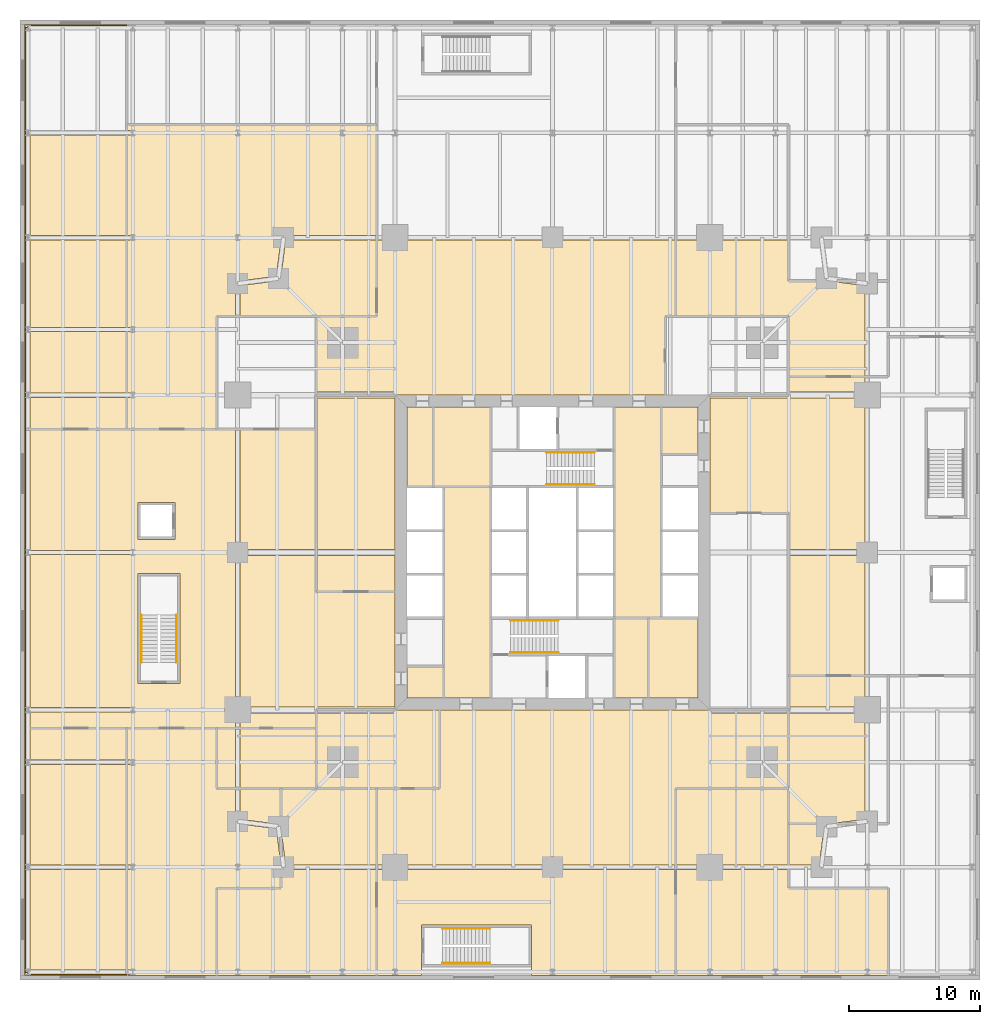
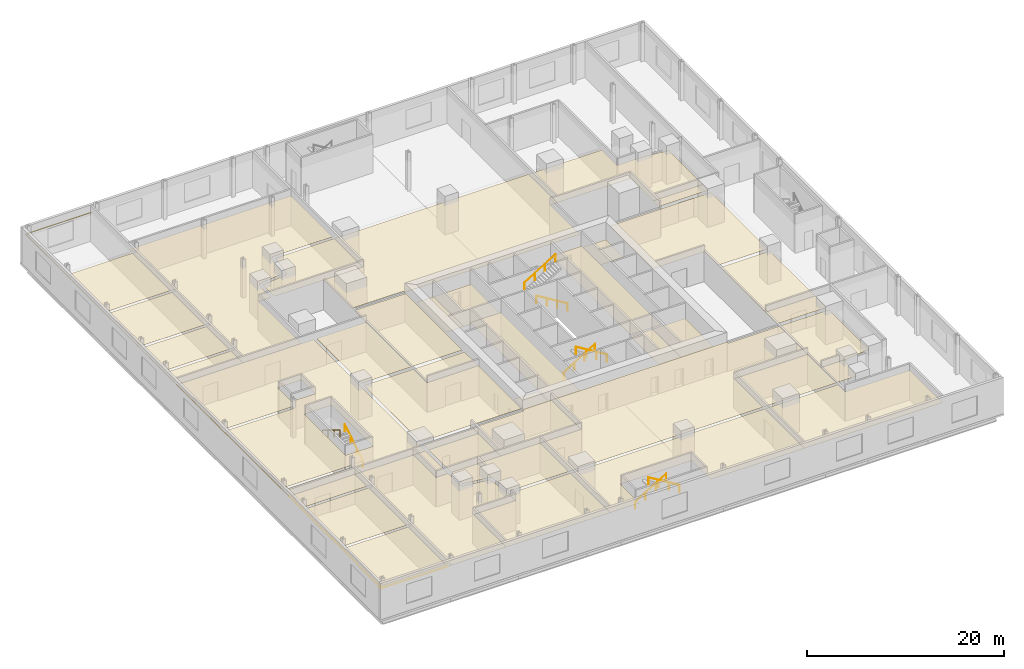
# One storey, part 15 of 16: 45 coverings, 8 railings.
"""IFC4 building model written with IfcOpenShell, lengths in metres."""

import ifcopenshell
import ifcopenshell.guid

model = None  # the IFC model being written
_history = None  # IfcOwnerHistory: only IFC2X3 demands one
_inside = {}  # id of a spatial element -> (the spatial element, [elements in it])
_under = {}  # id of a project, library or spatial element -> (it, [spatial elements below it])
_declared = {}  # id of a project -> (the project, [libraries it declares])
_typed = {}  # id of a type object -> (the type object, [elements of that type])
_made_of = {}  # id of a material, layer set ... -> (it, [elements and type objects made of it])


def new_model(schema):
    """Start an empty IFC model of exactly this schema.

    Asked for "IFC4X3", IfcOpenShell would pick the latest addendum, in which some entities
    have other attributes; the version numbers below select the first issue.
    IFC2X3 requires an IfcOwnerHistory on every rooted entity: one is made here for all.
    """
    global model, _history
    if schema == "IFC4X3":
        model = ifcopenshell.file(schema_version=(4, 3, 0, 0))
    else:
        model = ifcopenshell.file(schema=schema)
    _inside.clear()
    _under.clear()
    _declared.clear()
    _typed.clear()
    _made_of.clear()
    _history = None
    if model.schema == "IFC2X3":
        org = make("IfcOrganization", Name="unknown")
        user = make(
            "IfcPersonAndOrganization",
            ThePerson=make("IfcPerson", FamilyName="unknown"),
            TheOrganization=org,
        )
        app = make(
            "IfcApplication",
            ApplicationDeveloper=org,
            Version="unknown",
            ApplicationFullName="unknown",
            ApplicationIdentifier="unknown",
        )
        _history = make(
            "IfcOwnerHistory",
            OwningUser=user,
            OwningApplication=app,
            ChangeAction="ADDED",
            CreationDate=0,
        )
    return model


def make(cls, **values):
    """One entity of the class cls with the attributes given. An attribute that is None is left unset."""
    return model.create_entity(
        cls, **{name: value for name, value in values.items() if value is not None}
    )


def rooted(cls, **values):
    """An entity with a GlobalId (a new one), such as an element, a storey or a relation."""
    return make(cls, GlobalId=ifcopenshell.guid.new(), OwnerHistory=_history, **values)


def si_unit(unit_type, name, prefix=None):
    """IfcSIUnit, for example si_unit("LENGTHUNIT", "METRE", prefix="MILLI")."""
    return make("IfcSIUnit", UnitType=unit_type, Prefix=prefix, Name=name)


def assignment(units):
    """IfcUnitAssignment: the units of a project."""
    return None if units is None else make("IfcUnitAssignment", Units=units)


def point(xyz):
    """IfcCartesianPoint."""
    return None if xyz is None else make("IfcCartesianPoint", Coordinates=xyz)


def direction(xyz):
    """IfcDirection."""
    return None if xyz is None else make("IfcDirection", DirectionRatios=xyz)


def frame(location, z_axis=None, x_axis=None):
    """IfcAxis2Placement3D, a coordinate frame: its origin and axes. An axis left out is left unset."""
    return make(
        "IfcAxis2Placement3D",
        Location=point(location),
        Axis=direction(z_axis),
        RefDirection=direction(x_axis),
    )


def frame_2d(location, x_axis=None):
    """IfcAxis2Placement2D, a coordinate frame in the plane: its origin and x axis."""
    return make(
        "IfcAxis2Placement2D", Location=point(location), RefDirection=direction(x_axis)
    )


def origin():
    """The frame at (0, 0, 0) with its axes left unset."""
    return frame((0.0, 0.0, 0.0))


def origin_2d():
    """The frame at (0, 0) in the plane with its x axis left unset."""
    return frame_2d((0.0, 0.0))


def place(relative_to, where):
    """IfcLocalPlacement: puts the frame where relative to a parent placement (None: the world)."""
    return make(
        "IfcLocalPlacement", PlacementRelTo=relative_to, RelativePlacement=where
    )


def context(
    kind, dimensions, precision=None, world=None, true_north=None, identifier=None
):
    """IfcGeometricRepresentationContext, for example the 3D "Model" context."""
    return make(
        "IfcGeometricRepresentationContext",
        ContextIdentifier=identifier,
        ContextType=kind,
        CoordinateSpaceDimension=dimensions,
        Precision=precision,
        WorldCoordinateSystem=world,
        TrueNorth=true_north,
    )


def subcontext(parent, identifier, kind, view, scale=None):
    """IfcGeometricRepresentationSubContext, for example "Body" below "Model"."""
    return make(
        "IfcGeometricRepresentationSubContext",
        ContextIdentifier=identifier,
        ContextType=kind,
        ParentContext=parent,
        TargetScale=scale,
        TargetView=view,
    )


def project(units=None, contexts=None):
    """IfcProject with its units and contexts."""
    return rooted(
        "IfcProject",
        Name="project",
        RepresentationContexts=contexts,
        UnitsInContext=assignment(units),
    )


def spatial(cls, under=None, at=None, **own):
    """A site, building, storey or space (cls), placed at a placement, below another one or the project."""
    s = rooted(cls, ObjectPlacement=at, **own)
    if under is not None:
        _under.setdefault(under.id(), (under, []))[1].append(s)
    return s


def polyline(points):
    """IfcPolyline through the points."""
    return make("IfcPolyline", Points=[point(p) for p in points])


def profile(cls, at=None, kind="AREA", **sizes):
    """A parametric profile (cls). Its sizes go by their IFC names, for example OverallWidth=200.0."""
    return make(cls, ProfileType=kind, Position=at, **sizes)


def circle(**sizes):
    """IfcCircleProfileDef."""
    return profile("IfcCircleProfileDef", **sizes)


def outline(outer, holes=None, kind="AREA"):
    """IfcArbitraryClosedProfileDef: a profile drawn as a closed curve; with holes, ...WithVoids."""
    if holes is None:
        return make("IfcArbitraryClosedProfileDef", ProfileType=kind, OuterCurve=outer)
    return make(
        "IfcArbitraryProfileDefWithVoids",
        ProfileType=kind,
        OuterCurve=outer,
        InnerCurves=holes,
    )


def extrude(swept, where, along, depth):
    """IfcExtrudedAreaSolid: the profile swept, set in the frame where, extruded along a direction by depth."""
    return make(
        "IfcExtrudedAreaSolid",
        SweptArea=swept,
        Position=where,
        ExtrudedDirection=direction(along),
        Depth=depth,
    )


def shape(context_of_items, identifier, shape_type, items):
    """IfcShapeRepresentation: the items that make up one representation, for example the "Body"."""
    return make(
        "IfcShapeRepresentation",
        ContextOfItems=context_of_items,
        RepresentationIdentifier=identifier,
        RepresentationType=shape_type,
        Items=items,
    )


def material(Name=None, Category=None):
    """IfcMaterial."""
    return make("IfcMaterial", Name=Name, Category=Category)


def layer(
    of_material, thickness, ventilated=None, Name=None, Category=None, Priority=None
):
    """IfcMaterialLayer: one layer of a wall or slab, of a material (None: an air gap)."""
    return make(
        "IfcMaterialLayer",
        Material=of_material,
        LayerThickness=thickness,
        IsVentilated=ventilated,
        Name=Name,
        Category=Category,
        Priority=Priority,
    )


def layer_set(layers, Name=None):
    """IfcMaterialLayerSet."""
    return make("IfcMaterialLayerSet", MaterialLayers=layers, LayerSetName=Name)


def made_of(thing, what):
    """Note that an element or type object is made of a material, layer set ...; save() writes the relation."""
    if what is not None:
        _made_of.setdefault(what.id(), (what, []))[1].append(thing)
    return thing


def type_object(cls, material=None, **own):
    """A type object (cls), such as IfcWallType, which elements share."""
    return made_of(rooted(cls, **own), material)


def element(
    cls,
    number,
    at=None,
    inside=None,
    cuts=None,
    type_object=None,
    material=None,
    context=None,
    identifier="Body",
    shape_type=None,
    held_by="IfcProductDefinitionShape",
    body=None,
    shapes=None,
    **own,
):
    """One element of the class cls, such as IfcWall. Its Tag is "e" and its number.

    at: its placement. inside: the storey or other place that contains it. cuts: it is an
    opening in that element (IfcRelVoidsElement). A single representation is given by context,
    identifier, shape_type and body (its items); several are given by shapes. held_by: the class
    of the entity that holds the representations. save() writes the other relations.
    """
    e = rooted(cls, Tag="e%d" % number, ObjectPlacement=at, **own)
    if body is not None:
        shapes = [shape(context, identifier, shape_type, body)]
    if shapes is not None:
        e.Representation = make(held_by, Representations=shapes)
    if inside is not None:
        _inside.setdefault(inside.id(), (inside, []))[1].append(e)
    if cuts is not None:
        rooted(
            "IfcRelVoidsElement", RelatingBuildingElement=cuts, RelatedOpeningElement=e
        )
    if type_object is not None:
        _typed.setdefault(type_object.id(), (type_object, []))[1].append(e)
    return made_of(e, material)


def aggregate(whole, parts):
    """IfcRelAggregates: a whole, such as a stair, and the parts it consists of."""
    return rooted("IfcRelAggregates", RelatingObject=whole, RelatedObjects=parts)


def save(model, path):
    """Write the relations noted so far, then the file.

    IfcRelAggregates (storeys below a building ...), IfcRelContainedInSpatialStructure (elements
    in a storey), IfcRelDefinesByType, IfcRelAssociatesMaterial and IfcRelDeclares: one each for
    every whole, place, type object, material and project.
    """
    for whole, parts in _under.values():
        aggregate(whole, parts)
    for where, things in _inside.values():
        rooted(
            "IfcRelContainedInSpatialStructure",
            RelatedElements=things,
            RelatingStructure=where,
        )
    for kind, things in _typed.values():
        rooted("IfcRelDefinesByType", RelatedObjects=things, RelatingType=kind)
    for what, things in _made_of.values():
        rooted("IfcRelAssociatesMaterial", RelatedObjects=things, RelatingMaterial=what)
    for by, libraries in _declared.values():
        rooted("IfcRelDeclares", RelatingContext=by, RelatedDefinitions=libraries)
    model.write(path)


model = new_model("IFC4")

# Units and contexts
model_context = context("Model", 3, precision=1e-05, world=origin(), true_north=direction((0.0, 1.0)))
body_context = subcontext(model_context, "Body", "Model", "MODEL_VIEW")
ifc_project = project(units=[si_unit("LENGTHUNIT", "METRE"), si_unit("AREAUNIT", "SQUARE_METRE"), si_unit("VOLUMEUNIT", "CUBIC_METRE"), si_unit("PLANEANGLEUNIT", "RADIAN"), si_unit("MASSUNIT", "GRAM", prefix="KILO")], contexts=[model_context])

# Site, building, storey
site_placement = place(None, origin())
site = spatial("IfcSite", under=ifc_project, at=site_placement, CompositionType="ELEMENT")
building_placement = place(site_placement, origin())
building = spatial("IfcBuilding", under=site, at=building_placement, Name="Fenwick Lantern Interchange", CompositionType="ELEMENT")
storey_placement = place(building_placement, frame((0.0, 0.0, 16.60009765625)))
storey = spatial("IfcBuildingStorey", under=building, at=storey_placement, Name="L03", CompositionType="ELEMENT", Elevation=16.60009765625)

# Coverings
ifc_material_1 = material(Name="Mineral fibre acoustic tile on suspended grid")
ifc_layer_1 = layer(ifc_material_1, 0.02001953125)
ifc_layer_set_1 = layer_set([ifc_layer_1], Name="ACOUSTIC TILE CEILING 20")
covering_type_1 = type_object("IfcCoveringType", Name="ACOUSTIC TILE CEILING 20", PredefinedType="CEILING", material=ifc_layer_set_1)
covering_1_placement = place(storey_placement, frame((0.0, 0.0, 3.599853515625)))
element("IfcCovering", 1, at=covering_1_placement, inside=storey, type_object=covering_type_1, Name="Retail arcade north ceiling", PredefinedType="CEILING", context=body_context, shape_type="SweptSolid", body=[
    extrude(outline(polyline([(34.39990234375, 43.0), (34.39990234375, 48.824951171875), (25.0, 48.824951171875), (13.0, 48.824951171875), (11.60009765625, 48.824951171875), (11.60009765625, 43.0), (7.0, 43.0), (7.0, 37.232177734375), (13.0, 37.232177734375), (13.0, 37.0), (33.60009765625, 37.0), (33.60009765625, 43.0), (34.39990234375, 43.0)])), origin(), (0.0, 0.0, 1.0), 0.02001953125),
])
covering_2_placement = place(storey_placement, frame((0.0, 0.0, 3.599853515625)))
element("IfcCovering", 2, at=covering_2_placement, inside=storey, type_object=covering_type_1, Name="Retail arcade west ceiling", PredefinedType="CEILING", context=body_context, shape_type="SweptSolid", body=[
    extrude(outline(polyline([(-7.449951171875, 34.39990234375), (-14.833984375, 34.39990234375), (-14.833984375, 25.166015625), (-7.0, 25.166015625), (-7.0, 24.833984375), (-14.833984375, 24.833984375), (-14.833984375, 13.166015625), (-7.0, 13.166015625), (-7.0, 12.833984375), (-14.833984375, 12.833984375), (-14.833984375, 11.60009765625), (-7.449951171875, 11.60009765625), (-0.60009765625, 11.60009765625), (0.824951171875, 11.60009765625), (0.824951171875, 13.0), (0.824951171875, 25.0), (0.824951171875, 34.39990234375), (-0.60009765625, 34.39990234375), (-7.449951171875, 34.39990234375)]), holes=[polyline([(-3.39990234375, 23.39990234375), (-3.39990234375, 15.0), (-6.60009765625, 15.0), (-6.60009765625, 23.39990234375), (-3.39990234375, 23.39990234375)]), polyline([(-3.800048828125, 26.0), (-6.60009765625, 26.0), (-6.60009765625, 28.800048828125), (-3.800048828125, 28.800048828125), (-3.800048828125, 26.0)])]), origin(), (0.0, 0.0, 1.0), 0.02001953125),
])
covering_3_placement = place(storey_placement, frame((0.0, 0.0, 3.599853515625)))
element("IfcCovering", 3, at=covering_3_placement, inside=storey, type_object=covering_type_1, Name="Retail arcade west ceiling", PredefinedType="CEILING", context=body_context, shape_type="SweptSolid", body=[
    extrude(outline(polyline([(7.0, 22.0), (7.0, 24.775634765625), (1.175048828125, 24.775634765625), (1.175048828125, 13.232177734375), (13.0, 13.232177734375), (13.0, 22.0), (7.0, 22.0)])), origin(), (0.0, 0.0, 1.0), 0.02001953125),
])
covering_4_placement = place(storey_placement, frame((0.0, 0.0, 3.599853515625)))
element("IfcCovering", 4, at=covering_4_placement, inside=storey, type_object=covering_type_1, Name="Retail arcade west ceiling", PredefinedType="CEILING", context=body_context, shape_type="SweptSolid", body=[
    extrude(outline(polyline([(7.0, 34.39990234375), (1.175048828125, 34.39990234375), (1.175048828125, 25.224365234375), (7.0, 25.224365234375), (7.0, 34.39990234375)])), origin(), (0.0, 0.0, 1.0), 0.02001953125),
])
covering_5_placement = place(storey_placement, frame((0.0, 0.0, 3.599853515625)))
element("IfcCovering", 5, at=covering_5_placement, inside=storey, type_object=covering_type_1, Name="Retail arcade west ceiling", PredefinedType="CEILING", context=body_context, shape_type="SweptSolid", body=[
    extrude(outline(polyline([(7.0, 11.60009765625), (7.0, 12.767822265625), (1.175048828125, 12.767822265625), (1.175048828125, 11.60009765625), (7.0, 11.60009765625)])), origin(), (0.0, 0.0, 1.0), 0.02001953125),
])
covering_6_placement = place(storey_placement, frame((0.0, 0.0, 3.599853515625)))
element("IfcCovering", 6, at=covering_6_placement, inside=storey, type_object=covering_type_1, Name="Retail arcade west ceiling", PredefinedType="CEILING", context=body_context, shape_type="SweptSolid", body=[
    extrude(outline(polyline([(-15.166015625, 34.39990234375), (-15.25, 34.39990234375), (-15.25, 11.60009765625), (-15.166015625, 11.60009765625), (-15.166015625, 13.0), (-15.166015625, 25.0), (-15.166015625, 34.39990234375)])), origin(), (0.0, 0.0, 1.0), 0.02001953125),
])
covering_7_placement = place(storey_placement, frame((0.0, 0.0, 3.599853515625)))
element("IfcCovering", 7, at=covering_7_placement, inside=storey, type_object=covering_type_1, Name="Retail arcade south ceiling", PredefinedType="CEILING", context=body_context, shape_type="SweptSolid", body=[
    extrude(outline(polyline([(11.60009765625, 7.0), (11.60009765625, 1.175048828125), (13.0, 1.175048828125), (25.0, 1.175048828125), (34.39990234375, 1.175048828125), (34.39990234375, 7.0), (43.0, 7.0), (43.0, 12.767822265625), (37.0, 12.767822265625), (37.0, 13.0), (16.39990234375, 13.0), (16.39990234375, 7.0), (11.60009765625, 7.0)])), origin(), (0.0, 0.0, 1.0), 0.02001953125),
])
covering_8_placement = place(storey_placement, frame((0.0, 0.0, 3.599853515625)))
element("IfcCovering", 8, at=covering_8_placement, inside=storey, type_object=covering_type_1, Name="Retail arcade south ceiling", PredefinedType="CEILING", context=body_context, shape_type="SweptSolid", body=[
    extrude(outline(polyline([(11.60009765625, 0.824951171875), (11.60009765625, -7.25), (15.0, -7.25), (15.0, -6.60009765625), (15.0, -3.39990234375), (23.39990234375, -3.39990234375), (23.39990234375, -6.60009765625), (23.39990234375, -7.25), (34.39990234375, -7.25), (34.39990234375, 0.824951171875), (25.0, 0.824951171875), (13.0, 0.824951171875), (11.60009765625, 0.824951171875)])), origin(), (0.0, 0.0, 1.0), 0.02001953125),
])
covering_9_placement = place(storey_placement, frame((0.0, 0.0, 3.599853515625)))
element("IfcCovering", 9, at=covering_9_placement, inside=storey, type_object=covering_type_1, Name="Retail arcade east ceiling", PredefinedType="CEILING", context=body_context, shape_type="SweptSolid", body=[
    extrude(outline(polyline([(43.0, 28.0), (43.0, 25.224365234375), (48.824951171875, 25.224365234375), (48.824951171875, 36.767822265625), (37.0, 36.767822265625), (37.0, 28.0), (43.0, 28.0)])), origin(), (0.0, 0.0, 1.0), 0.02001953125),
])
covering_10_placement = place(storey_placement, frame((0.0, 0.0, 3.599853515625)))
element("IfcCovering", 10, at=covering_10_placement, inside=storey, type_object=covering_type_1, Name="Retail arcade east ceiling", PredefinedType="CEILING", context=body_context, shape_type="SweptSolid", body=[
    extrude(outline(polyline([(43.0, 15.60009765625), (48.824951171875, 15.60009765625), (48.824951171875, 24.775634765625), (43.0, 24.775634765625), (43.0, 15.60009765625)])), origin(), (0.0, 0.0, 1.0), 0.02001953125),
])
covering_11_placement = place(storey_placement, frame((0.0, 0.0, 3.599853515625)))
element("IfcCovering", 11, at=covering_11_placement, inside=storey, type_object=covering_type_1, Name="Retail arcade east ceiling", PredefinedType="CEILING", context=body_context, shape_type="SweptSolid", body=[
    extrude(outline(polyline([(43.0, 38.39990234375), (43.0, 37.232177734375), (48.824951171875, 37.232177734375), (48.824951171875, 38.39990234375), (43.0, 38.39990234375)])), origin(), (0.0, 0.0, 1.0), 0.02001953125),
])
covering_12_placement = place(storey_placement, frame((0.0, 0.0, 3.599853515625)))
element("IfcCovering", 12, at=covering_12_placement, inside=storey, type_object=covering_type_1, Name="Retail unit 03-1 ceiling", PredefinedType="CEILING", context=body_context, shape_type="SweptSolid", body=[
    extrude(outline(polyline([(4.300048828125, -0.60009765625), (-0.60009765625, -0.60009765625), (-0.60009765625, -7.25), (11.60009765625, -7.25), (11.60009765625, 0.824951171875), (4.5, 0.824951171875), (4.5, 1.0), (4.326416015625, 0.9775390625), (4.300048828125, 1.182861328125), (4.300048828125, -0.60009765625)])), origin(), (0.0, 0.0, 1.0), 0.02001953125),
])
covering_13_placement = place(storey_placement, frame((0.0, 0.0, 3.599853515625)))
element("IfcCovering", 13, at=covering_13_placement, inside=storey, type_object=covering_type_1, Name="Retail unit 03-1 ceiling", PredefinedType="CEILING", context=body_context, shape_type="SweptSolid", body=[
    extrude(outline(polyline([(4.300048828125, 7.0), (4.300048828125, 3.9169921875), (4.65380859375, 1.175048828125), (11.60009765625, 1.175048828125), (11.60009765625, 7.0), (4.300048828125, 7.0)])), origin(), (0.0, 0.0, 1.0), 0.02001953125),
])
covering_14_placement = place(storey_placement, frame((0.0, 0.0, 3.599853515625)))
element("IfcCovering", 14, at=covering_14_placement, inside=storey, type_object=covering_type_1, Name="Retail unit 03-2 ceiling", PredefinedType="CEILING", context=body_context, shape_type="SweptSolid", body=[
    extrude(outline(polyline([(-0.60009765625, 11.60009765625), (-7.449951171875, 11.60009765625), (-7.449951171875, 9.166015625), (-7.0, 9.166015625), (-7.0, 8.833984375), (-7.449951171875, 8.833984375), (-7.449951171875, 1.166015625), (-7.0, 1.166015625), (-7.0, 0.833984375), (-7.449951171875, 0.833984375), (-7.449951171875, -6.833984375), (-7.0, -6.833984375), (-7.0, -7.166015625), (-7.449951171875, -7.166015625), (-7.449951171875, -7.25), (-0.60009765625, -7.25), (-0.60009765625, -0.60009765625), (4.300048828125, -0.60009765625), (4.300048828125, 1.182861328125), (3.94384765625, 3.94384765625), (0.9775390625, 4.326416015625), (1.0, 4.5), (0.824951171875, 4.5), (0.824951171875, 7.0), (-0.60009765625, 7.0), (-0.60009765625, 11.60009765625)])), origin(), (0.0, 0.0, 1.0), 0.02001953125),
])
covering_15_placement = place(storey_placement, frame((0.0, 0.0, 3.599853515625)))
element("IfcCovering", 15, at=covering_15_placement, inside=storey, type_object=covering_type_1, Name="Retail unit 03-2 ceiling", PredefinedType="CEILING", context=body_context, shape_type="SweptSolid", body=[
    extrude(outline(polyline([(4.300048828125, 7.0), (1.175048828125, 7.0), (1.175048828125, 4.65380859375), (4.122314453125, 4.2734375), (4.10009765625, 4.10009765625), (4.2734375, 4.122314453125), (4.300048828125, 3.9169921875), (4.300048828125, 7.0)])), origin(), (0.0, 0.0, 1.0), 0.02001953125),
])
covering_16_placement = place(storey_placement, frame((0.0, 0.0, 3.599853515625)))
element("IfcCovering", 16, at=covering_16_placement, inside=storey, type_object=covering_type_1, Name="Retail unit 03-3 ceiling", PredefinedType="CEILING", context=body_context, shape_type="SweptSolid", body=[
    extrude(outline(polyline([(-7.449951171875, -6.833984375), (-7.449951171875, 0.833984375), (-14.833984375, 0.833984375), (-14.833984375, -6.833984375), (-7.449951171875, -6.833984375)])), origin(), (0.0, 0.0, 1.0), 0.02001953125),
])
covering_17_placement = place(storey_placement, frame((0.0, 0.0, 3.599853515625)))
element("IfcCovering", 17, at=covering_17_placement, inside=storey, type_object=covering_type_1, Name="Retail unit 03-3 ceiling", PredefinedType="CEILING", context=body_context, shape_type="SweptSolid", body=[
    extrude(outline(polyline([(-7.449951171875, 1.166015625), (-7.449951171875, 8.833984375), (-14.833984375, 8.833984375), (-14.833984375, 1.166015625), (-7.449951171875, 1.166015625)])), origin(), (0.0, 0.0, 1.0), 0.02001953125),
])
covering_18_placement = place(storey_placement, frame((0.0, 0.0, 3.599853515625)))
element("IfcCovering", 18, at=covering_18_placement, inside=storey, type_object=covering_type_1, Name="Retail unit 03-3 ceiling", PredefinedType="CEILING", context=body_context, shape_type="SweptSolid", body=[
    extrude(outline(polyline([(-7.449951171875, 9.166015625), (-7.449951171875, 11.60009765625), (-14.833984375, 11.60009765625), (-14.833984375, 9.166015625), (-7.449951171875, 9.166015625)])), origin(), (0.0, 0.0, 1.0), 0.02001953125),
])
covering_19_placement = place(storey_placement, frame((0.0, 0.0, 3.599853515625)))
element("IfcCovering", 19, at=covering_19_placement, inside=storey, type_object=covering_type_1, Name="Retail unit 03-3 ceiling", PredefinedType="CEILING", context=body_context, shape_type="SweptSolid", body=[
    extrude(outline(polyline([(-7.449951171875, -7.25), (-7.449951171875, -7.166015625), (-15.0, -7.166015625), (-15.0, -7.0), (-15.166015625, -7.0), (-15.166015625, 1.0), (-15.166015625, 9.0), (-15.166015625, 11.60009765625), (-15.25, 11.60009765625), (-15.25, -7.25), (-7.449951171875, -7.25)])), origin(), (0.0, 0.0, 1.0), 0.02001953125),
])
covering_20_placement = place(storey_placement, frame((0.0, 0.0, 3.599853515625)))
element("IfcCovering", 20, at=covering_20_placement, inside=storey, type_object=covering_type_1, Name="Retail unit 03-4 ceiling", PredefinedType="CEILING", context=body_context, shape_type="SweptSolid", body=[
    extrude(outline(polyline([(7.0, 11.60009765625), (1.175048828125, 11.60009765625), (1.175048828125, 7.0), (7.0, 7.0), (7.0, 11.60009765625)])), origin(), (0.0, 0.0, 1.0), 0.02001953125),
])
covering_21_placement = place(storey_placement, frame((0.0, 0.0, 3.599853515625)))
element("IfcCovering", 21, at=covering_21_placement, inside=storey, type_object=covering_type_1, Name="Retail unit 03-4 ceiling", PredefinedType="CEILING", context=body_context, shape_type="SweptSolid", body=[
    extrude(outline(polyline([(-0.60009765625, 11.60009765625), (-0.60009765625, 7.0), (0.824951171875, 7.0), (0.824951171875, 11.60009765625), (-0.60009765625, 11.60009765625)])), origin(), (0.0, 0.0, 1.0), 0.02001953125),
])
covering_22_placement = place(storey_placement, frame((0.0, 0.0, 3.599853515625)))
element("IfcCovering", 22, at=covering_22_placement, inside=storey, type_object=covering_type_1, Name="Retail unit 03-5 ceiling", PredefinedType="CEILING", context=body_context, shape_type="SweptSolid", body=[
    extrude(outline(polyline([(34.39990234375, -7.25), (50.60009765625, -7.25), (50.60009765625, -0.60009765625), (43.0, -0.60009765625), (43.0, 0.824951171875), (37.0, 0.824951171875), (34.39990234375, 0.824951171875), (34.39990234375, -7.25)])), origin(), (0.0, 0.0, 1.0), 0.02001953125),
])
covering_23_placement = place(storey_placement, frame((0.0, 0.0, 3.599853515625)))
element("IfcCovering", 23, at=covering_23_placement, inside=storey, type_object=covering_type_1, Name="Retail unit 03-5 ceiling", PredefinedType="CEILING", context=body_context, shape_type="SweptSolid", body=[
    extrude(outline(polyline([(34.39990234375, 7.0), (34.39990234375, 1.175048828125), (37.0, 1.175048828125), (43.0, 1.175048828125), (43.0, 7.0), (34.39990234375, 7.0)])), origin(), (0.0, 0.0, 1.0), 0.02001953125),
])
covering_24_placement = place(storey_placement, frame((0.0, 0.0, 3.599853515625)))
element("IfcCovering", 24, at=covering_24_placement, inside=storey, type_object=covering_type_1, Name="Retail unit 03-6 ceiling", PredefinedType="CEILING", context=body_context, shape_type="SweptSolid", body=[
    extrude(outline(polyline([(43.0, 4.300048828125), (43.0, 1.175048828125), (45.34619140625, 1.175048828125), (45.7265625, 4.122314453125), (45.89990234375, 4.10009765625), (45.877685546875, 4.2734375), (46.0830078125, 4.300048828125), (43.0, 4.300048828125)])), origin(), (0.0, 0.0, 1.0), 0.02001953125),
])
covering_25_placement = place(storey_placement, frame((0.0, 0.0, 3.599853515625)))
element("IfcCovering", 25, at=covering_25_placement, inside=storey, type_object=covering_type_1, Name="Retail unit 03-7 ceiling", PredefinedType="CEILING", context=body_context, shape_type="SweptSolid", body=[
    extrude(outline(polyline([(43.0, 12.767822265625), (43.0, 4.300048828125), (46.0830078125, 4.300048828125), (48.824951171875, 4.65380859375), (48.824951171875, 12.767822265625), (43.0, 12.767822265625)])), origin(), (0.0, 0.0, 1.0), 0.02001953125),
])
covering_26_placement = place(storey_placement, frame((0.0, 0.0, 3.599853515625)))
element("IfcCovering", 26, at=covering_26_placement, inside=storey, type_object=covering_type_1, Name="Retail unit 03-7 ceiling", PredefinedType="CEILING", context=body_context, shape_type="SweptSolid", body=[
    extrude(outline(polyline([(43.0, 15.60009765625), (43.0, 13.232177734375), (48.824951171875, 13.232177734375), (48.824951171875, 15.60009765625), (43.0, 15.60009765625)])), origin(), (0.0, 0.0, 1.0), 0.02001953125),
])
covering_27_placement = place(storey_placement, frame((0.0, 0.0, 3.599853515625)))
element("IfcCovering", 27, at=covering_27_placement, inside=storey, type_object=covering_type_1, Name="Retail unit 03-8 ceiling", PredefinedType="CEILING", context=body_context, shape_type="SweptSolid", body=[
    extrude(outline(polyline([(43.0, 38.39990234375), (48.824951171875, 38.39990234375), (48.824951171875, 45.34619140625), (46.0830078125, 45.699951171875), (43.0, 45.699951171875), (43.0, 48.824951171875), (37.0, 48.824951171875), (34.39990234375, 48.824951171875), (34.39990234375, 43.0), (43.0, 43.0), (43.0, 38.39990234375)])), origin(), (0.0, 0.0, 1.0), 0.02001953125),
])
covering_28_placement = place(storey_placement, frame((0.0, 0.0, 3.599853515625)))
element("IfcCovering", 28, at=covering_28_placement, inside=storey, type_object=covering_type_1, Name="Retail unit 03-12 ceiling", PredefinedType="CEILING", context=body_context, shape_type="SweptSolid", body=[
    extrude(outline(polyline([(-7.449951171875, 36.833984375), (-7.449951171875, 34.39990234375), (-0.60009765625, 34.39990234375), (-0.60009765625, 43.0), (0.824951171875, 43.0), (0.824951171875, 45.5), (1.0, 45.5), (0.9775390625, 45.673583984375), (3.94384765625, 46.05615234375), (4.326416015625, 49.0224609375), (4.5, 49.0), (4.5, 49.175048828125), (11.60009765625, 49.175048828125), (11.60009765625, 57.60009765625), (-7.449951171875, 57.60009765625), (-7.449951171875, 57.166015625), (-7.0, 57.166015625), (-7.0, 56.833984375), (-7.449951171875, 56.833984375), (-7.449951171875, 49.166015625), (-7.0, 49.166015625), (-7.0, 48.833984375), (-7.449951171875, 48.833984375), (-7.449951171875, 42.166015625), (-7.0, 42.166015625), (-7.0, 41.833984375), (-7.449951171875, 41.833984375), (-7.449951171875, 37.166015625), (-7.0, 37.166015625), (-7.0, 36.833984375), (-7.449951171875, 36.833984375)])), origin(), (0.0, 0.0, 1.0), 0.02001953125),
])
covering_29_placement = place(storey_placement, frame((0.0, 0.0, 3.599853515625)))
element("IfcCovering", 29, at=covering_29_placement, inside=storey, type_object=covering_type_1, Name="Retail unit 03-12 ceiling", PredefinedType="CEILING", context=body_context, shape_type="SweptSolid", body=[
    extrude(outline(polyline([(11.60009765625, 43.0), (11.60009765625, 48.824951171875), (4.65380859375, 48.824951171875), (4.2734375, 45.877685546875), (4.10009765625, 45.89990234375), (4.122314453125, 45.7265625), (1.175048828125, 45.34619140625), (1.175048828125, 43.0), (11.60009765625, 43.0)])), origin(), (0.0, 0.0, 1.0), 0.02001953125),
])
covering_30_placement = place(storey_placement, frame((0.0, 0.0, 3.599853515625)))
element("IfcCovering", 30, at=covering_30_placement, inside=storey, type_object=covering_type_1, Name="Retail unit 03-13 ceiling", PredefinedType="CEILING", context=body_context, shape_type="SweptSolid", body=[
    extrude(outline(polyline([(-7.449951171875, 49.166015625), (-7.449951171875, 56.833984375), (-14.833984375, 56.833984375), (-14.833984375, 49.166015625), (-7.449951171875, 49.166015625)])), origin(), (0.0, 0.0, 1.0), 0.02001953125),
])
covering_31_placement = place(storey_placement, frame((0.0, 0.0, 3.599853515625)))
element("IfcCovering", 31, at=covering_31_placement, inside=storey, type_object=covering_type_1, Name="Retail unit 03-13 ceiling", PredefinedType="CEILING", context=body_context, shape_type="SweptSolid", body=[
    extrude(outline(polyline([(-7.449951171875, 42.166015625), (-7.449951171875, 48.833984375), (-14.833984375, 48.833984375), (-14.833984375, 42.166015625), (-7.449951171875, 42.166015625)])), origin(), (0.0, 0.0, 1.0), 0.02001953125),
])
covering_32_placement = place(storey_placement, frame((0.0, 0.0, 3.599853515625)))
element("IfcCovering", 32, at=covering_32_placement, inside=storey, type_object=covering_type_1, Name="Retail unit 03-13 ceiling", PredefinedType="CEILING", context=body_context, shape_type="SweptSolid", body=[
    extrude(outline(polyline([(-7.449951171875, 37.166015625), (-7.449951171875, 41.833984375), (-14.833984375, 41.833984375), (-14.833984375, 37.166015625), (-7.449951171875, 37.166015625)])), origin(), (0.0, 0.0, 1.0), 0.02001953125),
])
covering_33_placement = place(storey_placement, frame((0.0, 0.0, 3.599853515625)))
element("IfcCovering", 33, at=covering_33_placement, inside=storey, type_object=covering_type_1, Name="Retail unit 03-13 ceiling", PredefinedType="CEILING", context=body_context, shape_type="SweptSolid", body=[
    extrude(outline(polyline([(-14.833984375, 34.39990234375), (-7.449951171875, 34.39990234375), (-7.449951171875, 36.833984375), (-14.833984375, 36.833984375), (-14.833984375, 34.39990234375)])), origin(), (0.0, 0.0, 1.0), 0.02001953125),
])
covering_34_placement = place(storey_placement, frame((0.0, 0.0, 3.599853515625)))
element("IfcCovering", 34, at=covering_34_placement, inside=storey, type_object=covering_type_1, Name="Retail unit 03-13 ceiling", PredefinedType="CEILING", context=body_context, shape_type="SweptSolid", body=[
    extrude(outline(polyline([(-15.25, 34.39990234375), (-15.166015625, 34.39990234375), (-15.166015625, 37.0), (-15.166015625, 42.0), (-15.166015625, 49.0), (-15.166015625, 57.0), (-15.166015625, 65.0), (-15.0, 65.0), (-15.0, 65.166015625), (-7.449951171875, 65.166015625), (-7.449951171875, 65.25), (-15.25, 65.25), (-15.25, 34.39990234375)])), origin(), (0.0, 0.0, 1.0), 0.02001953125),
])
covering_35_placement = place(storey_placement, frame((0.0, 0.0, 3.599853515625)))
element("IfcCovering", 35, at=covering_35_placement, inside=storey, type_object=covering_type_1, Name="Retail unit 03-15 ceiling", PredefinedType="CEILING", context=body_context, shape_type="SweptSolid", body=[
    extrude(outline(polyline([(7.0, 36.767822265625), (7.0, 25.224365234375), (13.0, 25.224365234375), (13.0, 36.767822265625), (7.0, 36.767822265625)])), origin(), (0.0, 0.0, 1.0), 0.02001953125),
])
covering_36_placement = place(storey_placement, frame((0.0, 0.0, 3.599853515625)))
element("IfcCovering", 36, at=covering_36_placement, inside=storey, type_object=covering_type_1, Name="Retail unit 03-15 ceiling", PredefinedType="CEILING", context=body_context, shape_type="SweptSolid", body=[
    extrude(outline(polyline([(7.0, 24.775634765625), (7.0, 22.0), (13.0, 22.0), (13.0, 24.775634765625), (7.0, 24.775634765625)])), origin(), (0.0, 0.0, 1.0), 0.02001953125),
])
covering_37_placement = place(storey_placement, frame((0.0, 0.0, 3.599853515625)))
element("IfcCovering", 37, at=covering_37_placement, inside=storey, type_object=covering_type_1, Name="Retail unit 03-17 ceiling", PredefinedType="CEILING", context=body_context, shape_type="SweptSolid", body=[
    extrude(outline(polyline([(7.0, 12.767822265625), (7.0, 7.0), (16.39990234375, 7.0), (16.39990234375, 13.0), (13.0, 13.0), (13.0, 12.767822265625), (7.0, 12.767822265625)])), origin(), (0.0, 0.0, 1.0), 0.02001953125),
])

# Railings
ifc_material_2 = material(Name="Stainless steel handrail", Category="steel")
railing_type = type_object("IfcRailingType", Name="HANDRAIL 900", PredefinedType="HANDRAIL", material=ifc_material_2)
railing_1_placement = place(storey_placement, frame((21.800048828125, 19.825927734375, 0.17138671875)))
element("IfcRailing", 38, at=railing_1_placement, inside=storey, type_object=railing_type, Name="L03/STAIR/ST1/HR1", PredefinedType="HANDRAIL", context=body_context, shape_type="SweptSolid", body=[
    extrude(circle(Radius=0.02392578125, at=origin_2d()), frame((0.0, 0.0, 0.8759765625), z_axis=(0.852850264322, 0.0, 0.5221555579), x_axis=(0.0, 1.0, 0.0)), (0.0, 0.0, 1.0), 4.267822265625),
    extrude(circle(Radius=0.02099609375, at=origin_2d()), origin(), (0.0, 0.0, 1.0), 0.851806640625),
    extrude(circle(Radius=0.02099609375, at=origin_2d()), frame((1.21337890625, 0.0, 0.742919921875)), (0.0, 0.0, 1.0), 0.851806640625),
    extrude(circle(Radius=0.02099609375, at=origin_2d()), frame((2.426513671875, 0.0, 1.485595703125)), (0.0, 0.0, 1.0), 0.851806640625),
    extrude(circle(Radius=0.02099609375, at=origin_2d()), frame((3.639892578125, 0.0, 2.228515625)), (0.0, 0.0, 1.0), 0.851806640625),
])
for number, where, name in (
    (39, (25.43994140625, 17.3740234375, 2.5712890625), "L03/STAIR/ST1/HR2"),
    (40, (28.199951171875, 30.174072265625, 0.17138671875), "L03/STAIR/ST2/HR1"),
):
    element("IfcRailing", number, at=place(storey_placement, frame(where)), inside=storey, type_object=railing_type, Name=name, PredefinedType="HANDRAIL", context=body_context, shape_type="SweptSolid", body=[
        extrude(circle(Radius=0.02392578125, at=origin_2d()), frame((0.0, 0.0, 0.8759765625), z_axis=(-0.852850264322, 0.0, 0.5221555579), x_axis=(0.0, -1.0, 0.0)), (0.0, 0.0, 1.0), 4.267822265625),
        extrude(circle(Radius=0.02099609375, at=origin_2d()), origin(), (0.0, 0.0, 1.0), 0.851806640625),
        extrude(circle(Radius=0.02099609375, at=origin_2d()), frame((-1.21337890625, 0.0, 0.742919921875)), (0.0, 0.0, 1.0), 0.851806640625),
        extrude(circle(Radius=0.02099609375, at=origin_2d()), frame((-2.426513671875, 0.0, 1.485595703125)), (0.0, 0.0, 1.0), 0.851806640625),
        extrude(circle(Radius=0.02099609375, at=origin_2d()), frame((-3.639892578125, 0.0, 2.228515625)), (0.0, 0.0, 1.0), 0.851806640625),
    ])
for number, where, name in (
    (41, (24.56005859375, 32.6259765625, 2.5712890625), "L03/STAIR/ST2/HR2"),
    (42, (16.60009765625, -3.674072265625, 0.17138671875), "L03/STAIR/PS2/HR1"),
):
    element("IfcRailing", number, at=place(storey_placement, frame(where)), inside=storey, type_object=railing_type, Name=name, PredefinedType="HANDRAIL", context=body_context, shape_type="SweptSolid", body=[
        extrude(circle(Radius=0.02392578125, at=origin_2d()), frame((0.0, 0.0, 0.8759765625), z_axis=(0.852850264322, 0.0, 0.5221555579), x_axis=(0.0, 1.0, 0.0)), (0.0, 0.0, 1.0), 4.267822265625),
        extrude(circle(Radius=0.02099609375, at=origin_2d()), origin(), (0.0, 0.0, 1.0), 0.851806640625),
        extrude(circle(Radius=0.02099609375, at=origin_2d()), frame((1.21337890625, 0.0, 0.742919921875)), (0.0, 0.0, 1.0), 0.851806640625),
        extrude(circle(Radius=0.02099609375, at=origin_2d()), frame((2.426513671875, 0.0, 1.485595703125)), (0.0, 0.0, 1.0), 0.851806640625),
        extrude(circle(Radius=0.02099609375, at=origin_2d()), frame((3.639892578125, 0.0, 2.228515625)), (0.0, 0.0, 1.0), 0.851806640625),
    ])
railing_2_placement = place(storey_placement, frame((20.239990234375, -6.325927734375, 2.5712890625)))
element("IfcRailing", 43, at=railing_2_placement, inside=storey, type_object=railing_type, Name="L03/STAIR/PS2/HR2", PredefinedType="HANDRAIL", context=body_context, shape_type="SweptSolid", body=[
    extrude(circle(Radius=0.02392578125, at=origin_2d()), frame((0.0, 0.0, 0.8759765625), z_axis=(-0.852850264322, 0.0, 0.5221555579), x_axis=(0.0, -1.0, 0.0)), (0.0, 0.0, 1.0), 4.267822265625),
    extrude(circle(Radius=0.02099609375, at=origin_2d()), origin(), (0.0, 0.0, 1.0), 0.851806640625),
    extrude(circle(Radius=0.02099609375, at=origin_2d()), frame((-1.21337890625, 0.0, 0.742919921875)), (0.0, 0.0, 1.0), 0.851806640625),
    extrude(circle(Radius=0.02099609375, at=origin_2d()), frame((-2.426513671875, 0.0, 1.485595703125)), (0.0, 0.0, 1.0), 0.851806640625),
    extrude(circle(Radius=0.02099609375, at=origin_2d()), frame((-3.639892578125, 0.0, 2.228515625)), (0.0, 0.0, 1.0), 0.851806640625),
])
railing_3_placement = place(storey_placement, frame((-3.674072265625, 16.60009765625, 0.17138671875)))
element("IfcRailing", 44, at=railing_3_placement, inside=storey, type_object=railing_type, Name="L03/STAIR/PS3/HR1", PredefinedType="HANDRAIL", context=body_context, shape_type="SweptSolid", body=[
    extrude(circle(Radius=0.02392578125, at=origin_2d()), frame((0.0, 0.0, 0.8759765625), z_axis=(0.0, 0.852850264322, 0.5221555579), x_axis=(-1.0, 0.0, 0.0)), (0.0, 0.0, 1.0), 4.267822265625),
    extrude(circle(Radius=0.02099609375, at=origin_2d()), origin(), (0.0, 0.0, 1.0), 0.851806640625),
    extrude(circle(Radius=0.02099609375, at=origin_2d()), frame((0.0, 1.21337890625, 0.742919921875)), (0.0, 0.0, 1.0), 0.851806640625),
    extrude(circle(Radius=0.02099609375, at=origin_2d()), frame((0.0, 2.426513671875, 1.485595703125)), (0.0, 0.0, 1.0), 0.851806640625),
    extrude(circle(Radius=0.02099609375, at=origin_2d()), frame((0.0, 3.639892578125, 2.228515625)), (0.0, 0.0, 1.0), 0.851806640625),
])
railing_4_placement = place(storey_placement, frame((-6.325927734375, 20.239990234375, 2.5712890625)))
element("IfcRailing", 45, at=railing_4_placement, inside=storey, type_object=railing_type, Name="L03/STAIR/PS3/HR2", PredefinedType="HANDRAIL", context=body_context, shape_type="SweptSolid", body=[
    extrude(circle(Radius=0.02392578125, at=origin_2d()), frame((0.0, 0.0, 0.8759765625), z_axis=(0.0, -0.852850264322, 0.5221555579), x_axis=(1.0, 0.0, 0.0)), (0.0, 0.0, 1.0), 4.267822265625),
    extrude(circle(Radius=0.02099609375, at=origin_2d()), origin(), (0.0, 0.0, 1.0), 0.851806640625),
    extrude(circle(Radius=0.02099609375, at=origin_2d()), frame((0.0, -1.21337890625, 0.742919921875)), (0.0, 0.0, 1.0), 0.851806640625),
    extrude(circle(Radius=0.02099609375, at=origin_2d()), frame((0.0, -2.426513671875, 1.485595703125)), (0.0, 0.0, 1.0), 0.851806640625),
    extrude(circle(Radius=0.02099609375, at=origin_2d()), frame((0.0, -3.639892578125, 2.228515625)), (0.0, 0.0, 1.0), 0.851806640625),
])

# Coverings
ifc_material_3 = material(Name="Moisture resistant gypsum board on suspended frame, painted")
ifc_layer_2 = layer(ifc_material_3, 0.014892578125)
ifc_layer_set_2 = layer_set([ifc_layer_2], Name="MOISTURE RESISTANT CEILING 15")
covering_type_2 = type_object("IfcCoveringType", Name="MOISTURE RESISTANT CEILING 15", PredefinedType="CEILING", material=ifc_layer_set_2)
covering_38_placement = place(storey_placement, frame((0.0, 0.0, 2.599853515625)))
element("IfcCovering", 46, at=covering_38_placement, inside=storey, type_object=covering_type_2, Name="Men's WC ceiling", PredefinedType="CEILING", context=body_context, shape_type="SweptSolid", body=[
    extrude(outline(polyline([(29.699951171875, 13.89990234375), (32.300048828125, 13.89990234375), (32.300048828125, 20.0), (29.699951171875, 20.0), (29.699951171875, 13.89990234375)])), origin(), (0.0, 0.0, 1.0), 0.01513671875),
])
covering_39_placement = place(storey_placement, frame((0.0, 0.0, 2.599853515625)))
element("IfcCovering", 47, at=covering_39_placement, inside=storey, type_object=covering_type_2, Name="Women's WC ceiling", PredefinedType="CEILING", context=body_context, shape_type="SweptSolid", body=[
    extrude(outline(polyline([(32.300048828125, 13.89990234375), (36.10009765625, 13.89990234375), (36.10009765625, 20.0), (32.300048828125, 20.0), (32.300048828125, 13.89990234375)])), origin(), (0.0, 0.0, 1.0), 0.01513671875),
])
covering_40_placement = place(storey_placement, frame((0.0, 0.0, 2.599853515625)))
element("IfcCovering", 48, at=covering_40_placement, inside=storey, type_object=covering_type_2, Name="Accessible WC ceiling", PredefinedType="CEILING", context=body_context, shape_type="SweptSolid", body=[
    extrude(outline(polyline([(13.89990234375, 13.89990234375), (16.699951171875, 13.89990234375), (16.699951171875, 16.300048828125), (13.89990234375, 16.300048828125), (13.89990234375, 13.89990234375)])), origin(), (0.0, 0.0, 1.0), 0.01513671875),
])
covering_41_placement = place(storey_placement, frame((0.0, 0.0, 2.599853515625)))
element("IfcCovering", 49, at=covering_41_placement, inside=storey, type_object=covering_type_2, Name="Women's WC ceiling", PredefinedType="CEILING", context=body_context, shape_type="SweptSolid", body=[
    extrude(outline(polyline([(20.300048828125, 36.10009765625), (15.89990234375, 36.10009765625), (15.89990234375, 30.0), (20.300048828125, 30.0), (20.300048828125, 36.10009765625)])), origin(), (0.0, 0.0, 1.0), 0.01513671875),
])
covering_42_placement = place(storey_placement, frame((0.0, 0.0, 2.599853515625)))
element("IfcCovering", 50, at=covering_42_placement, inside=storey, type_object=covering_type_2, Name="Men's WC ceiling", PredefinedType="CEILING", context=body_context, shape_type="SweptSolid", body=[
    extrude(outline(polyline([(15.89990234375, 36.10009765625), (13.89990234375, 36.10009765625), (13.89990234375, 30.0), (15.89990234375, 30.0), (15.89990234375, 36.10009765625)])), origin(), (0.0, 0.0, 1.0), 0.01513671875),
])
covering_43_placement = place(storey_placement, frame((0.0, 0.0, 2.599853515625)))
element("IfcCovering", 51, at=covering_43_placement, inside=storey, type_object=covering_type_2, Name="Accessible WC and shower ceiling", PredefinedType="CEILING", context=body_context, shape_type="SweptSolid", body=[
    extrude(outline(polyline([(36.10009765625, 36.10009765625), (33.300048828125, 36.10009765625), (33.300048828125, 32.5), (36.10009765625, 32.5), (36.10009765625, 36.10009765625)])), origin(), (0.0, 0.0, 1.0), 0.01513671875),
])
ifc_material_4 = material(Name="Gypsum plasterboard on suspended frame, painted")
ifc_layer_3 = layer(ifc_material_4, 0.014892578125)
ifc_layer_set_3 = layer_set([ifc_layer_3], Name="PLASTERBOARD CEILING 15")
covering_type_3 = type_object("IfcCoveringType", Name="PLASTERBOARD CEILING 15", PredefinedType="CEILING", material=ifc_layer_set_3)
covering_44_placement = place(storey_placement, frame((0.0, 0.0, 2.7998046875)))
element("IfcCovering", 52, at=covering_44_placement, inside=storey, type_object=covering_type_3, Name="Lift lobby ceiling", PredefinedType="CEILING", context=body_context, shape_type="SweptSolid", body=[
    extrude(outline(polyline([(16.699951171875, 13.89990234375), (20.300048828125, 13.89990234375), (20.300048828125, 30.0), (16.699951171875, 30.0), (16.699951171875, 13.89990234375)])), origin(), (0.0, 0.0, 1.0), 0.01513671875),
])
covering_45_placement = place(storey_placement, frame((0.0, 0.0, 2.7998046875)))
element("IfcCovering", 53, at=covering_45_placement, inside=storey, type_object=covering_type_3, Name="Lift lobby ceiling", PredefinedType="CEILING", context=body_context, shape_type="SweptSolid", body=[
    extrude(outline(polyline([(33.300048828125, 36.10009765625), (29.699951171875, 36.10009765625), (29.699951171875, 20.0), (33.300048828125, 20.0), (33.300048828125, 36.10009765625)])), origin(), (0.0, 0.0, 1.0), 0.01513671875),
])

save(model, "model.ifc")
